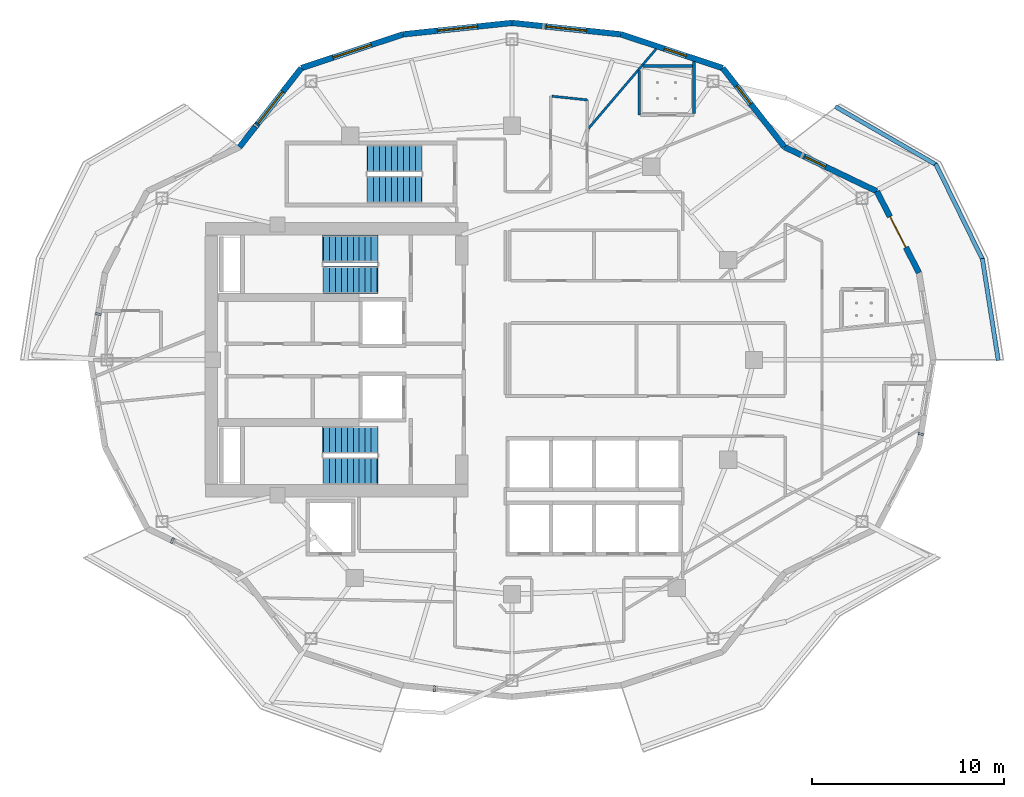
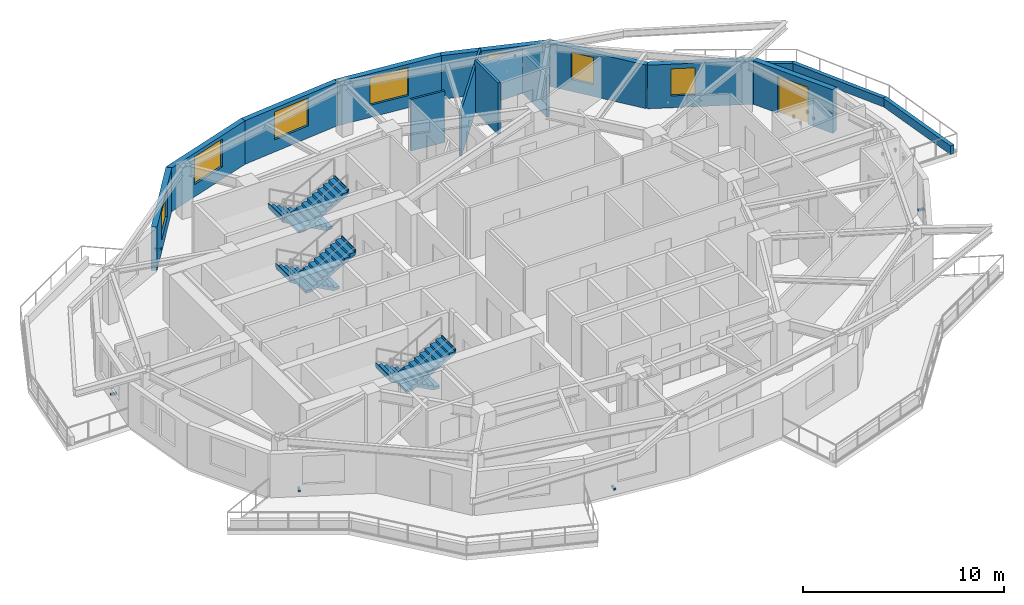
# One storey, part 7 of 10: 16 walls, 7 windows, 6 stair flights, 5 discrete accessories, 1 door, 8 openings, 3 elements without a shape of their own.
"""IFC4 building model written with IfcOpenShell, lengths in metres."""

import ifcopenshell
import ifcopenshell.guid

model = None  # the IFC model being written
_history = None  # IfcOwnerHistory: only IFC2X3 demands one
_inside = {}  # id of a spatial element -> (the spatial element, [elements in it])
_under = {}  # id of a project, library or spatial element -> (it, [spatial elements below it])
_declared = {}  # id of a project -> (the project, [libraries it declares])
_typed = {}  # id of a type object -> (the type object, [elements of that type])
_made_of = {}  # id of a material, layer set ... -> (it, [elements and type objects made of it])


def new_model(schema):
    """Start an empty IFC model of exactly this schema.

    Asked for "IFC4X3", IfcOpenShell would pick the latest addendum, in which some entities
    have other attributes; the version numbers below select the first issue.
    IFC2X3 requires an IfcOwnerHistory on every rooted entity: one is made here for all.
    """
    global model, _history
    if schema == "IFC4X3":
        model = ifcopenshell.file(schema_version=(4, 3, 0, 0))
    else:
        model = ifcopenshell.file(schema=schema)
    _inside.clear()
    _under.clear()
    _declared.clear()
    _typed.clear()
    _made_of.clear()
    _history = None
    if model.schema == "IFC2X3":
        org = make("IfcOrganization", Name="unknown")
        user = make(
            "IfcPersonAndOrganization",
            ThePerson=make("IfcPerson", FamilyName="unknown"),
            TheOrganization=org,
        )
        app = make(
            "IfcApplication",
            ApplicationDeveloper=org,
            Version="unknown",
            ApplicationFullName="unknown",
            ApplicationIdentifier="unknown",
        )
        _history = make(
            "IfcOwnerHistory",
            OwningUser=user,
            OwningApplication=app,
            ChangeAction="ADDED",
            CreationDate=0,
        )
    return model


def make(cls, **values):
    """One entity of the class cls with the attributes given. An attribute that is None is left unset."""
    return model.create_entity(
        cls, **{name: value for name, value in values.items() if value is not None}
    )


def rooted(cls, **values):
    """An entity with a GlobalId (a new one), such as an element, a storey or a relation."""
    return make(cls, GlobalId=ifcopenshell.guid.new(), OwnerHistory=_history, **values)


def si_unit(unit_type, name, prefix=None):
    """IfcSIUnit, for example si_unit("LENGTHUNIT", "METRE", prefix="MILLI")."""
    return make("IfcSIUnit", UnitType=unit_type, Prefix=prefix, Name=name)


def assignment(units):
    """IfcUnitAssignment: the units of a project."""
    return None if units is None else make("IfcUnitAssignment", Units=units)


def point(xyz):
    """IfcCartesianPoint."""
    return None if xyz is None else make("IfcCartesianPoint", Coordinates=xyz)


def direction(xyz):
    """IfcDirection."""
    return None if xyz is None else make("IfcDirection", DirectionRatios=xyz)


def frame(location, z_axis=None, x_axis=None):
    """IfcAxis2Placement3D, a coordinate frame: its origin and axes. An axis left out is left unset."""
    return make(
        "IfcAxis2Placement3D",
        Location=point(location),
        Axis=direction(z_axis),
        RefDirection=direction(x_axis),
    )


def frame_2d(location, x_axis=None):
    """IfcAxis2Placement2D, a coordinate frame in the plane: its origin and x axis."""
    return make(
        "IfcAxis2Placement2D", Location=point(location), RefDirection=direction(x_axis)
    )


def origin():
    """The frame at (0, 0, 0) with its axes left unset."""
    return frame((0.0, 0.0, 0.0))


def origin_2d():
    """The frame at (0, 0) in the plane with its x axis left unset."""
    return frame_2d((0.0, 0.0))


def place(relative_to, where):
    """IfcLocalPlacement: puts the frame where relative to a parent placement (None: the world)."""
    return make(
        "IfcLocalPlacement", PlacementRelTo=relative_to, RelativePlacement=where
    )


def context(
    kind, dimensions, precision=None, world=None, true_north=None, identifier=None
):
    """IfcGeometricRepresentationContext, for example the 3D "Model" context."""
    return make(
        "IfcGeometricRepresentationContext",
        ContextIdentifier=identifier,
        ContextType=kind,
        CoordinateSpaceDimension=dimensions,
        Precision=precision,
        WorldCoordinateSystem=world,
        TrueNorth=true_north,
    )


def subcontext(parent, identifier, kind, view, scale=None):
    """IfcGeometricRepresentationSubContext, for example "Body" below "Model"."""
    return make(
        "IfcGeometricRepresentationSubContext",
        ContextIdentifier=identifier,
        ContextType=kind,
        ParentContext=parent,
        TargetScale=scale,
        TargetView=view,
    )


def project(units=None, contexts=None):
    """IfcProject with its units and contexts."""
    return rooted(
        "IfcProject",
        Name="project",
        RepresentationContexts=contexts,
        UnitsInContext=assignment(units),
    )


def spatial(cls, under=None, at=None, **own):
    """A site, building, storey or space (cls), placed at a placement, below another one or the project."""
    s = rooted(cls, ObjectPlacement=at, **own)
    if under is not None:
        _under.setdefault(under.id(), (under, []))[1].append(s)
    return s


def polyline(points):
    """IfcPolyline through the points."""
    return make("IfcPolyline", Points=[point(p) for p in points])


def profile(cls, at=None, kind="AREA", **sizes):
    """A parametric profile (cls). Its sizes go by their IFC names, for example OverallWidth=200.0."""
    return make(cls, ProfileType=kind, Position=at, **sizes)


def rectangle(**sizes):
    """IfcRectangleProfileDef."""
    return profile("IfcRectangleProfileDef", **sizes)


def outline(outer, holes=None, kind="AREA"):
    """IfcArbitraryClosedProfileDef: a profile drawn as a closed curve; with holes, ...WithVoids."""
    if holes is None:
        return make("IfcArbitraryClosedProfileDef", ProfileType=kind, OuterCurve=outer)
    return make(
        "IfcArbitraryProfileDefWithVoids",
        ProfileType=kind,
        OuterCurve=outer,
        InnerCurves=holes,
    )


def extrude(swept, where, along, depth):
    """IfcExtrudedAreaSolid: the profile swept, set in the frame where, extruded along a direction by depth."""
    return make(
        "IfcExtrudedAreaSolid",
        SweptArea=swept,
        Position=where,
        ExtrudedDirection=direction(along),
        Depth=depth,
    )


def shape(context_of_items, identifier, shape_type, items):
    """IfcShapeRepresentation: the items that make up one representation, for example the "Body"."""
    return make(
        "IfcShapeRepresentation",
        ContextOfItems=context_of_items,
        RepresentationIdentifier=identifier,
        RepresentationType=shape_type,
        Items=items,
    )


def material(Name=None, Category=None):
    """IfcMaterial."""
    return make("IfcMaterial", Name=Name, Category=Category)


def layer(
    of_material, thickness, ventilated=None, Name=None, Category=None, Priority=None
):
    """IfcMaterialLayer: one layer of a wall or slab, of a material (None: an air gap)."""
    return make(
        "IfcMaterialLayer",
        Material=of_material,
        LayerThickness=thickness,
        IsVentilated=ventilated,
        Name=Name,
        Category=Category,
        Priority=Priority,
    )


def layer_set(layers, Name=None):
    """IfcMaterialLayerSet."""
    return make("IfcMaterialLayerSet", MaterialLayers=layers, LayerSetName=Name)


def made_of(thing, what):
    """Note that an element or type object is made of a material, layer set ...; save() writes the relation."""
    if what is not None:
        _made_of.setdefault(what.id(), (what, []))[1].append(thing)
    return thing


def type_object(cls, material=None, **own):
    """A type object (cls), such as IfcWallType, which elements share."""
    return made_of(rooted(cls, **own), material)


def element(
    cls,
    number,
    at=None,
    inside=None,
    cuts=None,
    type_object=None,
    material=None,
    context=None,
    identifier="Body",
    shape_type=None,
    held_by="IfcProductDefinitionShape",
    body=None,
    shapes=None,
    **own,
):
    """One element of the class cls, such as IfcWall. Its Tag is "e" and its number.

    at: its placement. inside: the storey or other place that contains it. cuts: it is an
    opening in that element (IfcRelVoidsElement). A single representation is given by context,
    identifier, shape_type and body (its items); several are given by shapes. held_by: the class
    of the entity that holds the representations. save() writes the other relations.
    """
    e = rooted(cls, Tag="e%d" % number, ObjectPlacement=at, **own)
    if body is not None:
        shapes = [shape(context, identifier, shape_type, body)]
    if shapes is not None:
        e.Representation = make(held_by, Representations=shapes)
    if inside is not None:
        _inside.setdefault(inside.id(), (inside, []))[1].append(e)
    if cuts is not None:
        rooted(
            "IfcRelVoidsElement", RelatingBuildingElement=cuts, RelatedOpeningElement=e
        )
    if type_object is not None:
        _typed.setdefault(type_object.id(), (type_object, []))[1].append(e)
    return made_of(e, material)


def fill(opening, filler):
    """IfcRelFillsElement: the door or window that sits in an opening."""
    return rooted(
        "IfcRelFillsElement",
        RelatingOpeningElement=opening,
        RelatedBuildingElement=filler,
    )


def aggregate(whole, parts):
    """IfcRelAggregates: a whole, such as a stair, and the parts it consists of."""
    return rooted("IfcRelAggregates", RelatingObject=whole, RelatedObjects=parts)


def save(model, path):
    """Write the relations noted so far, then the file.

    IfcRelAggregates (storeys below a building ...), IfcRelContainedInSpatialStructure (elements
    in a storey), IfcRelDefinesByType, IfcRelAssociatesMaterial and IfcRelDeclares: one each for
    every whole, place, type object, material and project.
    """
    for whole, parts in _under.values():
        aggregate(whole, parts)
    for where, things in _inside.values():
        rooted(
            "IfcRelContainedInSpatialStructure",
            RelatedElements=things,
            RelatingStructure=where,
        )
    for kind, things in _typed.values():
        rooted("IfcRelDefinesByType", RelatedObjects=things, RelatingType=kind)
    for what, things in _made_of.values():
        rooted("IfcRelAssociatesMaterial", RelatedObjects=things, RelatingMaterial=what)
    for by, libraries in _declared.values():
        rooted("IfcRelDeclares", RelatingContext=by, RelatedDefinitions=libraries)
    model.write(path)


model = new_model("IFC4")

# Units and contexts
model_context = context("Model", 3, precision=1e-05, world=origin(), true_north=direction((0.0, 1.0)))
body_context = subcontext(model_context, "Body", "Model", "MODEL_VIEW")
ifc_project = project(units=[si_unit("LENGTHUNIT", "METRE"), si_unit("AREAUNIT", "SQUARE_METRE"), si_unit("VOLUMEUNIT", "CUBIC_METRE"), si_unit("PLANEANGLEUNIT", "RADIAN"), si_unit("MASSUNIT", "GRAM", prefix="KILO")], contexts=[model_context])

# Site, building, storey
site_placement = place(None, origin())
site = spatial("IfcSite", under=ifc_project, at=site_placement, CompositionType="ELEMENT")
building_placement = place(site_placement, origin())
building = spatial("IfcBuilding", under=site, at=building_placement, Name="Kolvaren Gate Tower and Convention Centre", CompositionType="ELEMENT")
storey_placement = place(building_placement, frame((0.0, 0.0, 146.10009765625)))
storey = spatial("IfcBuildingStorey", under=building, at=storey_placement, Name="L37", CompositionType="ELEMENT", Elevation=146.10009765625)

# Walls
ifc_material_1 = material(Name="Fire-Rated Acoustic Gypsum Stud Partition", Category="gypsum")
ifc_layer_1 = layer(ifc_material_1, 0.1201171875)
ifc_layer_set_1 = layer_set([ifc_layer_1], Name="Fire-Rated Acoustic Gypsum Stud Partition")
wall_type_1 = type_object("IfcWallType", Name="ARCH-WL-PART-120", PredefinedType="PARTITIONING", material=ifc_layer_set_1)
wall_1_placement = place(storey_placement, frame((32.2119140625, 40.73046875, 0.0), z_axis=(0.0, 0.0, 1.0), x_axis=(0.994512688404, -0.1046160246, 0.0)))
element("IfcWall", 1, at=wall_1_placement, inside=storey, type_object=wall_type_1, Name="Interior Partition WL-L37-INT-038", PredefinedType="PARTITIONING", context=body_context, shape_type="SweptSolid", body=[
    extrude(rectangle(XDim=1.848388671875, YDim=0.1201171875, at=frame_2d((0.92431640625, 0.0))), origin(), (0.0, 0.0, 1.0), 3.1298828125),
])
wall_2_placement = place(storey_placement, frame((34.112060546875, 39.054931640625, 0.0), z_axis=(0.0, 0.0, 1.0), x_axis=(0.64805977237, 0.761589476973, 0.0)))
element("IfcWall", 2, at=wall_2_placement, inside=storey, type_object=wall_type_1, Name="Interior Partition WL-L37-INT-069", PredefinedType="PARTITIONING", context=body_context, shape_type="SweptSolid", body=[
    extrude(rectangle(XDim=5.425537109375, YDim=0.1201171875, at=frame_2d((2.712890625, 0.0))), origin(), (0.0, 0.0, 1.0), 2.81201171875),
])
ifc_material_2 = material(Name="Piedmont Cream Honed Limestone Cladding", Category="masonry")
ifc_layer_2 = layer(ifc_material_2, 0.219970703125)
ifc_layer_set_2 = layer_set([ifc_layer_2], Name="Piedmont Cream Honed Limestone Cladding")
wall_type_2 = type_object("IfcWallType", Name="ARCH-WL-PLANTER-220", PredefinedType="PARAPET", material=ifc_layer_set_2)
wall_3_placement = place(storey_placement, frame((54.615234375, 32.280029296875, 0.0), z_axis=(0.0, 0.0, 1.0), x_axis=(0.154245214003, -0.988032597619, 0.0)))
element("IfcWall", 3, at=wall_3_placement, inside=storey, type_object=wall_type_2, Name="Vertical-Forest Balcony Stone Planter Kerb PK-L37-1.1", PredefinedType="PARAPET", context=body_context, shape_type="SweptSolid", body=[
    extrude(rectangle(XDim=5.37353515625, YDim=0.219970703125, at=frame_2d((2.686767578125, 0.0))), origin(), (0.0, 0.0, 1.0), 0.52001953125),
])
wall_4_placement = place(storey_placement, frame((52.180419921875, 37.221435546875, 0.0), z_axis=(0.0, 0.0, 1.0), x_axis=(0.439637174641, -0.898175458735, 0.0)))
element("IfcWall", 4, at=wall_4_placement, inside=storey, type_object=wall_type_2, Name="Vertical-Forest Balcony Stone Planter Kerb PK-L37-1.2", PredefinedType="PARAPET", context=body_context, shape_type="SweptSolid", body=[
    extrude(rectangle(XDim=5.567138671875, YDim=0.219970703125, at=frame_2d((2.78369140625, 0.0))), origin(), (0.0, 0.0, 1.0), 0.52001953125),
])
wall_5_placement = place(storey_placement, frame((46.95751953125, 40.1953125, 0.0), z_axis=(0.0, 0.0, 1.0), x_axis=(0.866058128659, -0.499943314571, 0.0)))
element("IfcWall", 5, at=wall_5_placement, inside=storey, type_object=wall_type_2, Name="Vertical-Forest Balcony Stone Planter Kerb PK-L37-1.3", PredefinedType="PARAPET", context=body_context, shape_type="SweptSolid", body=[
    extrude(rectangle(XDim=6.060302734375, YDim=0.219970703125, at=frame_2d((3.0302734375, 0.0))), origin(), (0.0, 0.0, 1.0), 0.52001953125),
])

# Wall, opening, door
ifc_layer_3 = layer(ifc_material_2, 0.300048828125)
ifc_layer_set_3 = layer_set([ifc_layer_3], Name="Piedmont Cream Honed Limestone Cladding")
wall_type_3 = type_object("IfcWallType", Name="ARCH-WL-STONE-300", PredefinedType="SOLIDWALL", material=ifc_layer_set_3)
wall_6_placement = place(storey_placement, frame((49.123291015625, 35.77490234375, 0.0), z_axis=(0.0, 0.0, 1.0), x_axis=(0.459810251451, -0.888017191647, 0.0)))
wall_6 = element("IfcWall", 6, at=wall_6_placement, inside=storey, type_object=wall_type_3, Name="Tower L37 Honed Stone Spandrel Wall EW-01", PredefinedType="SOLIDWALL", context=body_context, shape_type="SweptSolid", body=[
    extrude(rectangle(XDim=4.766357421875, YDim=0.300048828125, at=frame_2d((2.38330078125, 0.0))), origin(), (0.0, 0.0, 1.0), 2.65283203125),
])
opening_1_placement = place(wall_6_placement, frame((1.48291015625, 0.0, 0.0)))
opening_1 = element("IfcOpeningElement", 7, at=opening_1_placement, cuts=wall_6, Name="Opening DB-01", PredefinedType="OPENING", context=body_context, shape_type="SweptSolid", body=[
    extrude(rectangle(XDim=1.800048828125, YDim=2.25, at=frame_2d((0.89990234375, 1.125))), frame((0.0, 0.159912109375, 0.0), z_axis=(0.0, -1.0, 0.0), x_axis=(1.0, 0.0, 0.0)), (0.0, 0.0, 1.0), 0.320068359375),
])
ifc_material_3 = material(Name="Anodized Architectural Aluminium Alloy 6063-T6", Category="aluminium")
door_type = type_object("IfcDoorType", Name="ARCH-DR-BALC-1800", OperationType="SLIDING_TO_LEFT", PredefinedType="DOOR", material=ifc_material_3)
door_placement = place(opening_1_placement, origin())
door = element("IfcDoor", 8, at=door_placement, inside=storey, type_object=door_type, Name="Planted Sky Terrace Access Door DB-L37-01", OperationType="SLIDING_TO_LEFT", OverallHeight=2.25, OverallWidth=1.800048828125, PredefinedType="DOOR", context=body_context, shape_type="SweptSolid", body=[
    extrude(rectangle(XDim=1.800048828125, YDim=2.25, at=frame_2d((0.89990234375, 1.125))), frame((0.0, 0.02490234375, 0.0), z_axis=(0.0, -1.0, 0.0), x_axis=(1.0, 0.0, 0.0)), (0.0, 0.0, 1.0), 0.050048828125),
])
fill(opening_1, door)

# Wall, opening, window
wall_7_placement = place(storey_placement, frame((44.3134765625, 38.0859375, 0.0), z_axis=(0.0, 0.0, 1.0), x_axis=(0.901353070301, -0.433085029363, 0.0)))
wall_7 = element("IfcWall", 9, at=wall_7_placement, inside=storey, type_object=wall_type_3, Name="Tower L37 Honed Stone Spandrel Wall EW-02", PredefinedType="SOLIDWALL", context=body_context, shape_type="SweptSolid", body=[
    extrude(rectangle(XDim=5.336181640625, YDim=0.300048828125, at=frame_2d((2.66796875, 0.0))), origin(), (0.0, 0.0, 1.0), 2.65283203125),
])
opening_2_placement = place(wall_7_placement, frame((1.179931640625, 0.0, 0.719970703125)))
opening_2 = element("IfcOpeningElement", 10, at=opening_2_placement, cuts=wall_7, Name="Opening W-04", PredefinedType="OPENING", context=body_context, shape_type="SweptSolid", body=[
    extrude(rectangle(XDim=1.199951171875, YDim=1.64990234375, at=frame_2d((0.60009765625, 0.824951171875))), frame((0.0, 0.159912109375, 0.0), z_axis=(0.0, -1.0, 0.0), x_axis=(1.0, 0.0, 0.0)), (0.0, 0.0, 1.0), 0.320068359375),
])
ifc_material_4 = material(Name="Low-E Triple Insulated Glazing Unit 44 mm", Category="glass")
window_type_1 = type_object("IfcWindowType", Name="ARCH-WN-NARROW-1200", PartitioningType="SINGLE_PANEL", PredefinedType="WINDOW", material=ifc_material_4)
window_1_placement = place(opening_2_placement, origin())
window_1 = element("IfcWindow", 11, at=window_1_placement, inside=storey, type_object=window_type_1, Name="Tower L37 Punched Stone Facade Window W-02", OverallHeight=1.64990234375, OverallWidth=1.199951171875, PartitioningType="SINGLE_PANEL", PredefinedType="WINDOW", context=body_context, shape_type="SweptSolid", body=[
    extrude(rectangle(XDim=1.199951171875, YDim=1.64990234375, at=frame_2d((0.60009765625, 0.824951171875))), frame((0.0, 0.030029296875, 0.0), z_axis=(0.0, -1.0, 0.0), x_axis=(1.0, 0.0, 0.0)), (0.0, 0.0, 1.0), 0.06005859375),
])
fill(opening_2, window_1)

wall_8_placement = place(storey_placement, frame((41.09375, 42.19873046875, 0.0), z_axis=(0.0, 0.0, 1.0), x_axis=(0.616429245738, -0.787410302828, 0.0)))
wall_8 = element("IfcWall", 12, at=wall_8_placement, inside=storey, type_object=wall_type_3, Name="Tower L37 Honed Stone Spandrel Wall EW-03", PredefinedType="SOLIDWALL", context=body_context, shape_type="SweptSolid", body=[
    extrude(rectangle(XDim=5.22314453125, YDim=0.300048828125, at=frame_2d((2.611572265625, 0.0))), origin(), (0.0, 0.0, 1.0), 2.65283203125),
])
opening_3_placement = place(wall_8_placement, frame((1.179931640625, 0.0, 0.719970703125)))
opening_3 = element("IfcOpeningElement", 13, at=opening_3_placement, cuts=wall_8, Name="Opening W-04", PredefinedType="OPENING", context=body_context, shape_type="SweptSolid", body=[
    extrude(rectangle(XDim=1.199951171875, YDim=1.64990234375, at=frame_2d((0.60009765625, 0.824951171875))), frame((0.0, 0.159912109375, 0.0), z_axis=(0.0, -1.0, 0.0), x_axis=(1.0, 0.0, 0.0)), (0.0, 0.0, 1.0), 0.320068359375),
])
window_2_placement = place(opening_3_placement, origin())
window_2 = element("IfcWindow", 14, at=window_2_placement, inside=storey, type_object=window_type_1, Name="Tower L37 Punched Stone Facade Window W-03", OverallHeight=1.64990234375, OverallWidth=1.199951171875, PartitioningType="SINGLE_PANEL", PredefinedType="WINDOW", context=body_context, shape_type="SweptSolid", body=[
    extrude(rectangle(XDim=1.199951171875, YDim=1.64990234375, at=frame_2d((0.60009765625, 0.824951171875))), frame((0.0, 0.030029296875, 0.0), z_axis=(0.0, -1.0, 0.0), x_axis=(1.0, 0.0, 0.0)), (0.0, 0.0, 1.0), 0.06005859375),
])
fill(opening_3, window_2)

wall_9_placement = place(storey_placement, frame((35.802734375, 43.951904296875, 0.0), z_axis=(0.0, 0.0, 1.0), x_axis=(0.949246811547, -0.314532177636, 0.0)))
wall_9 = element("IfcWall", 15, at=wall_9_placement, inside=storey, type_object=wall_type_3, Name="Tower L37 Honed Stone Spandrel Wall EW-04", PredefinedType="SOLIDWALL", context=body_context, shape_type="SweptSolid", body=[
    extrude(rectangle(XDim=5.573974609375, YDim=0.300048828125, at=frame_2d((2.787109375, 0.0))), origin(), (0.0, 0.0, 1.0), 2.65283203125),
])
opening_4_placement = place(wall_9_placement, frame((2.3798828125, 0.0, 0.719970703125)))
opening_4 = element("IfcOpeningElement", 16, at=opening_4_placement, cuts=wall_9, Name="Opening W-04", PredefinedType="OPENING", context=body_context, shape_type="SweptSolid", body=[
    extrude(rectangle(XDim=1.199951171875, YDim=1.64990234375, at=frame_2d((0.60009765625, 0.824951171875))), frame((0.0, 0.159912109375, 0.0), z_axis=(0.0, -1.0, 0.0), x_axis=(1.0, 0.0, 0.0)), (0.0, 0.0, 1.0), 0.320068359375),
])
window_3_placement = place(opening_4_placement, origin())
window_3 = element("IfcWindow", 17, at=window_3_placement, inside=storey, type_object=window_type_1, Name="Tower L37 Punched Stone Facade Window W-04", OverallHeight=1.64990234375, OverallWidth=1.199951171875, PartitioningType="SINGLE_PANEL", PredefinedType="WINDOW", context=body_context, shape_type="SweptSolid", body=[
    extrude(rectangle(XDim=1.199951171875, YDim=1.64990234375, at=frame_2d((0.60009765625, 0.824951171875))), frame((0.0, 0.030029296875, 0.0), z_axis=(0.0, -1.0, 0.0), x_axis=(1.0, 0.0, 0.0)), (0.0, 0.0, 1.0), 0.06005859375),
])
fill(opening_4, window_3)

wall_10_placement = place(storey_placement, frame((30.125, 44.550048828125, 0.0), z_axis=(0.0, 0.0, 1.0), x_axis=(0.994496545245, -0.104769372887, 0.0)))
wall_10 = element("IfcWall", 18, at=wall_10_placement, inside=storey, type_object=wall_type_3, Name="Tower L37 Honed Stone Spandrel Wall EW-05", PredefinedType="SOLIDWALL", context=body_context, shape_type="SweptSolid", body=[
    extrude(rectangle(XDim=5.709228515625, YDim=0.300048828125, at=frame_2d((2.8544921875, 0.0))), origin(), (0.0, 0.0, 1.0), 2.65283203125),
])
opening_5_placement = place(wall_10_placement, frame((1.804931640625, 0.0, 0.739990234375)))
opening_5 = element("IfcOpeningElement", 19, at=opening_5_placement, cuts=wall_10, Name="Opening W-02", PredefinedType="OPENING", context=body_context, shape_type="SweptSolid", body=[
    extrude(rectangle(XDim=2.10009765625, YDim=1.699951171875, at=frame_2d((1.050048828125, 0.85009765625))), frame((0.0, 0.159912109375, 0.0), z_axis=(0.0, -1.0, 0.0), x_axis=(1.0, 0.0, 0.0)), (0.0, 0.0, 1.0), 0.320068359375),
])
window_type_2 = type_object("IfcWindowType", Name="ARCH-WN-HTL-2100", PartitioningType="SINGLE_PANEL", PredefinedType="WINDOW", material=ifc_material_4)
window_4_placement = place(opening_5_placement, origin())
window_4 = element("IfcWindow", 20, at=window_4_placement, inside=storey, type_object=window_type_2, Name="Tower L37 Punched Stone Facade Window W-05", OverallHeight=1.699951171875, OverallWidth=2.10009765625, PartitioningType="SINGLE_PANEL", PredefinedType="WINDOW", context=body_context, shape_type="SweptSolid", body=[
    extrude(rectangle(XDim=2.10009765625, YDim=1.699951171875, at=frame_2d((1.050048828125, 0.85009765625))), frame((0.0, 0.030029296875, 0.0), z_axis=(0.0, -1.0, 0.0), x_axis=(1.0, 0.0, 0.0)), (0.0, 0.0, 1.0), 0.06005859375),
])
fill(opening_5, window_4)

wall_11_placement = place(storey_placement, frame((24.447265625, 43.951904296875, 0.0), z_axis=(0.0, 0.0, 1.0), x_axis=(0.994496545245, 0.104769372887, 0.0)))
wall_11 = element("IfcWall", 21, at=wall_11_placement, inside=storey, type_object=wall_type_3, Name="Tower L37 Honed Stone Spandrel Wall EW-06", PredefinedType="SOLIDWALL", context=body_context, shape_type="SweptSolid", body=[
    extrude(rectangle(XDim=5.709228515625, YDim=0.300048828125, at=frame_2d((2.8544921875, 0.0))), origin(), (0.0, 0.0, 1.0), 2.65283203125),
])
opening_6_placement = place(wall_11_placement, frame((1.804931640625, 0.0, 0.739990234375)))
opening_6 = element("IfcOpeningElement", 22, at=opening_6_placement, cuts=wall_11, Name="Opening W-02", PredefinedType="OPENING", context=body_context, shape_type="SweptSolid", body=[
    extrude(rectangle(XDim=2.10009765625, YDim=1.699951171875, at=frame_2d((1.050048828125, 0.85009765625))), frame((0.0, 0.159912109375, 0.0), z_axis=(0.0, -1.0, 0.0), x_axis=(1.0, 0.0, 0.0)), (0.0, 0.0, 1.0), 0.320068359375),
])
window_5_placement = place(opening_6_placement, origin())
window_5 = element("IfcWindow", 23, at=window_5_placement, inside=storey, type_object=window_type_2, Name="Tower L37 Punched Stone Facade Window W-06", OverallHeight=1.699951171875, OverallWidth=2.10009765625, PartitioningType="SINGLE_PANEL", PredefinedType="WINDOW", context=body_context, shape_type="SweptSolid", body=[
    extrude(rectangle(XDim=2.10009765625, YDim=1.699951171875, at=frame_2d((1.050048828125, 0.85009765625))), frame((0.0, 0.030029296875, 0.0), z_axis=(0.0, -1.0, 0.0), x_axis=(1.0, 0.0, 0.0)), (0.0, 0.0, 1.0), 0.06005859375),
])
fill(opening_6, window_5)

wall_12_placement = place(storey_placement, frame((19.15625, 42.19873046875, 0.0), z_axis=(0.0, 0.0, 1.0), x_axis=(0.949246811547, 0.314532177636, 0.0)))
wall_12 = element("IfcWall", 24, at=wall_12_placement, inside=storey, type_object=wall_type_3, Name="Tower L37 Honed Stone Spandrel Wall EW-07", PredefinedType="SOLIDWALL", context=body_context, shape_type="SweptSolid", body=[
    extrude(rectangle(XDim=5.573974609375, YDim=0.300048828125, at=frame_2d((2.787109375, 0.0))), origin(), (0.0, 0.0, 1.0), 2.65283203125),
])
opening_7_placement = place(wall_12_placement, frame((1.737060546875, 0.0, 0.739990234375)))
opening_7 = element("IfcOpeningElement", 25, at=opening_7_placement, cuts=wall_12, Name="Opening W-02", PredefinedType="OPENING", context=body_context, shape_type="SweptSolid", body=[
    extrude(rectangle(XDim=2.10009765625, YDim=1.699951171875, at=frame_2d((1.050048828125, 0.85009765625))), frame((0.0, 0.159912109375, 0.0), z_axis=(0.0, -1.0, 0.0), x_axis=(1.0, 0.0, 0.0)), (0.0, 0.0, 1.0), 0.320068359375),
])
window_6_placement = place(opening_7_placement, origin())
window_6 = element("IfcWindow", 26, at=window_6_placement, inside=storey, type_object=window_type_2, Name="Tower L37 Punched Stone Facade Window W-07", OverallHeight=1.699951171875, OverallWidth=2.10009765625, PartitioningType="SINGLE_PANEL", PredefinedType="WINDOW", context=body_context, shape_type="SweptSolid", body=[
    extrude(rectangle(XDim=2.10009765625, YDim=1.699951171875, at=frame_2d((1.050048828125, 0.85009765625))), frame((0.0, 0.030029296875, 0.0), z_axis=(0.0, -1.0, 0.0), x_axis=(1.0, 0.0, 0.0)), (0.0, 0.0, 1.0), 0.06005859375),
])
fill(opening_7, window_6)

wall_13_placement = place(storey_placement, frame((15.9365234375, 38.0859375, 0.0), z_axis=(0.0, 0.0, 1.0), x_axis=(0.616429245738, 0.787410302828, 0.0)))
wall_13 = element("IfcWall", 27, at=wall_13_placement, inside=storey, type_object=wall_type_3, Name="Tower L37 Honed Stone Spandrel Wall EW-08", PredefinedType="SOLIDWALL", context=body_context, shape_type="SweptSolid", body=[
    extrude(rectangle(XDim=5.22314453125, YDim=0.300048828125, at=frame_2d((2.611572265625, 0.0))), origin(), (0.0, 0.0, 1.0), 2.65283203125),
])
opening_8_placement = place(wall_13_placement, frame((1.56201171875, 0.0, 0.739990234375)))
opening_8 = element("IfcOpeningElement", 28, at=opening_8_placement, cuts=wall_13, Name="Opening W-02", PredefinedType="OPENING", context=body_context, shape_type="SweptSolid", body=[
    extrude(rectangle(XDim=2.10009765625, YDim=1.699951171875, at=frame_2d((1.050048828125, 0.85009765625))), frame((0.0, 0.159912109375, 0.0), z_axis=(0.0, -1.0, 0.0), x_axis=(1.0, 0.0, 0.0)), (0.0, 0.0, 1.0), 0.320068359375),
])
window_7_placement = place(opening_8_placement, origin())
window_7 = element("IfcWindow", 29, at=window_7_placement, inside=storey, type_object=window_type_2, Name="Tower L37 Punched Stone Facade Window W-08", OverallHeight=1.699951171875, OverallWidth=2.10009765625, PartitioningType="SINGLE_PANEL", PredefinedType="WINDOW", context=body_context, shape_type="SweptSolid", body=[
    extrude(rectangle(XDim=2.10009765625, YDim=1.699951171875, at=frame_2d((1.050048828125, 0.85009765625))), frame((0.0, 0.030029296875, 0.0), z_axis=(0.0, -1.0, 0.0), x_axis=(1.0, 0.0, 0.0)), (0.0, 0.0, 1.0), 0.06005859375),
])
fill(opening_8, window_7)

# Walls
ifc_material_5 = material(Name="Moisture-Resistant Cement-Board Acoustic Partition", Category="gypsum")
ifc_layer_4 = layer(ifc_material_5, 0.14990234375)
ifc_layer_set_4 = layer_set([ifc_layer_4], Name="Moisture-Resistant Cement-Board Acoustic Partition")
wall_type_4 = type_object("IfcWallType", Name="ARCH-WL-WET-150", PredefinedType="PARTITIONING", material=ifc_layer_set_4)
wall_14_placement = place(storey_placement, frame((36.75, 39.75, 0.0), z_axis=(0.0, 0.0, 1.0), x_axis=(0.0, 1.0, 0.0)))
element("IfcWall", 30, at=wall_14_placement, inside=storey, type_object=wall_type_4, Name="Interior Partition WL-L37-INT-070", PredefinedType="PARTITIONING", context=body_context, shape_type="SweptSolid", body=[
    extrude(rectangle(XDim=2.309326171875, YDim=0.14990234375, at=frame_2d((1.15478515625, 0.0))), origin(), (0.0, 0.0, 1.0), 3.1298828125),
])
wall_15_placement = place(storey_placement, frame((39.60009765625, 39.826904296875, 0.0), z_axis=(0.0, 0.0, 1.0), x_axis=(0.0, 1.0, 0.0)))
element("IfcWall", 31, at=wall_15_placement, inside=storey, type_object=wall_type_4, Name="Interior Partition WL-L37-INT-072", PredefinedType="PARTITIONING", context=body_context, shape_type="SweptSolid", body=[
    extrude(rectangle(XDim=2.706787109375, YDim=0.14990234375, at=frame_2d((1.353515625, 0.0))), origin(), (0.0, 0.0, 1.0), 2.5048828125),
])
wall_16_placement = place(storey_placement, frame((36.95458984375, 42.300048828125, 0.0), z_axis=(0.0, 0.0, 1.0), x_axis=(1.0, 0.0, 0.0)))
element("IfcWall", 32, at=wall_16_placement, inside=storey, type_object=wall_type_4, Name="Interior Partition WL-L37-INT-073", PredefinedType="PARTITIONING", context=body_context, shape_type="SweptSolid", body=[
    extrude(rectangle(XDim=2.568359375, YDim=0.14990234375, at=frame_2d((1.2841796875, 0.0))), origin(), (0.0, 0.0, 1.0), 2.65283203125),
])

# Stair, stair flights
ifc_material_6 = material(Name="Concrete C50/60", Category="concrete")
stair_type = type_object("IfcStairType", Name="STR-STAIR-CORE", PredefinedType="HALF_TURN_STAIR", material=ifc_material_6)
stair_1_placement = place(storey_placement, origin())
stair_1 = element("IfcStair", 33, at=stair_1_placement, inside=storey, type_object=stair_type, Name="L37 Tower North Exit Stair ST-T1", PredefinedType="HALF_TURN_STAIR")
stair_flight_type = type_object("IfcStairFlightType", Name="STR-SFL-1420", PredefinedType="STRAIGHT", material=ifc_material_6)
stair_flight_1_placement = place(storey_placement, frame((23.10009765625, 32.7900390625, 0.0), z_axis=(0.0, 0.0, 1.0), x_axis=(-1.0, 0.0, 0.0)))
stair_flight_1 = element("IfcStairFlight", 34, at=stair_flight_1_placement, type_object=stair_flight_type, Name="ST-T1 flight 1", NumberOfRisers=10, NumberOfTreads=9, PredefinedType="STRAIGHT", RiserHeight=0.17, TreadLength=0.31, context=body_context, shape_type="SweptSolid", body=[
    extrude(outline(polyline([(-0.034912109375, 0.0), (-0.034912109375, 0.169921875), (0.31005859375, 0.169921875), (0.31005859375, 0.340087890625), (0.6201171875, 0.340087890625), (0.6201171875, 0.510009765625), (0.929931640625, 0.510009765625), (0.929931640625, 0.679931640625), (1.239990234375, 0.679931640625), (1.239990234375, 0.85009765625), (1.550048828125, 0.85009765625), (1.550048828125, 1.02001953125), (1.860107421875, 1.02001953125), (1.860107421875, 1.18994140625), (2.169921875, 1.18994140625), (2.169921875, 1.360107421875), (2.47998046875, 1.360107421875), (2.47998046875, 1.530029296875), (2.7900390625, 1.530029296875), (2.7900390625, 1.699951171875), (2.8349609375, 1.699951171875), (2.8349609375, 1.5400390625), (2.7900390625, 1.359130859375), (0.311767578125, 0.0), (-0.034912109375, 0.0)])), frame((0.0, 0.7099609375, 0.0), z_axis=(0.0, -1.0, 0.0), x_axis=(1.0, 0.0, 0.0)), (0.0, 0.0, 1.0), 1.419921875),
])
stair_flight_2_placement = place(storey_placement, frame((20.31005859375, 31.169921875, 1.699951171875), z_axis=(0.0, 0.0, 1.0), x_axis=(1.0, 0.0, 0.0)))
stair_flight_2 = element("IfcStairFlight", 35, at=stair_flight_2_placement, type_object=stair_flight_type, Name="ST-T1 flight 2", NumberOfRisers=10, NumberOfTreads=9, PredefinedType="STRAIGHT", RiserHeight=0.17, TreadLength=0.31, context=body_context, shape_type="SweptSolid", body=[
    extrude(outline(polyline([(-0.034912109375, 0.0), (-0.034912109375, 0.169921875), (0.31005859375, 0.169921875), (0.31005859375, 0.340087890625), (0.6201171875, 0.340087890625), (0.6201171875, 0.510009765625), (0.929931640625, 0.510009765625), (0.929931640625, 0.679931640625), (1.239990234375, 0.679931640625), (1.239990234375, 0.85009765625), (1.550048828125, 0.85009765625), (1.550048828125, 1.02001953125), (1.860107421875, 1.02001953125), (1.860107421875, 1.18994140625), (2.169921875, 1.18994140625), (2.169921875, 1.360107421875), (2.47998046875, 1.360107421875), (2.47998046875, 1.530029296875), (2.7900390625, 1.530029296875), (2.7900390625, 1.699951171875), (2.8349609375, 1.699951171875), (2.8349609375, 1.5400390625), (2.7900390625, 1.359130859375), (0.311767578125, 0.0), (-0.034912109375, 0.0)])), frame((0.0, 0.7099609375, 0.0), z_axis=(0.0, -1.0, 0.0), x_axis=(1.0, 0.0, 0.0)), (0.0, 0.0, 1.0), 1.419921875),
])
aggregate(stair_1, [stair_flight_1, stair_flight_2])

stair_2_placement = place(storey_placement, origin())
stair_2 = element("IfcStair", 36, at=stair_2_placement, inside=storey, type_object=stair_type, Name="L37 Tower South Exit Stair ST-T2", PredefinedType="HALF_TURN_STAIR")
stair_flight_3_placement = place(storey_placement, frame((23.10009765625, 22.830078125, 0.0), z_axis=(0.0, 0.0, 1.0), x_axis=(-1.0, 0.0, 0.0)))
stair_flight_3 = element("IfcStairFlight", 37, at=stair_flight_3_placement, type_object=stair_flight_type, Name="ST-T2 flight 1", NumberOfRisers=10, NumberOfTreads=9, PredefinedType="STRAIGHT", RiserHeight=0.17, TreadLength=0.31, context=body_context, shape_type="SweptSolid", body=[
    extrude(outline(polyline([(-0.034912109375, 0.0), (-0.034912109375, 0.169921875), (0.31005859375, 0.169921875), (0.31005859375, 0.340087890625), (0.6201171875, 0.340087890625), (0.6201171875, 0.510009765625), (0.929931640625, 0.510009765625), (0.929931640625, 0.679931640625), (1.239990234375, 0.679931640625), (1.239990234375, 0.85009765625), (1.550048828125, 0.85009765625), (1.550048828125, 1.02001953125), (1.860107421875, 1.02001953125), (1.860107421875, 1.18994140625), (2.169921875, 1.18994140625), (2.169921875, 1.360107421875), (2.47998046875, 1.360107421875), (2.47998046875, 1.530029296875), (2.7900390625, 1.530029296875), (2.7900390625, 1.699951171875), (2.8349609375, 1.699951171875), (2.8349609375, 1.5400390625), (2.7900390625, 1.359130859375), (0.311767578125, 0.0), (-0.034912109375, 0.0)])), frame((0.0, 0.7099609375, 0.0), z_axis=(0.0, -1.0, 0.0), x_axis=(1.0, 0.0, 0.0)), (0.0, 0.0, 1.0), 1.419921875),
])
stair_flight_4_placement = place(storey_placement, frame((20.31005859375, 21.2099609375, 1.699951171875), z_axis=(0.0, 0.0, 1.0), x_axis=(1.0, 0.0, 0.0)))
stair_flight_4 = element("IfcStairFlight", 38, at=stair_flight_4_placement, type_object=stair_flight_type, Name="ST-T2 flight 2", NumberOfRisers=10, NumberOfTreads=9, PredefinedType="STRAIGHT", RiserHeight=0.17, TreadLength=0.31, context=body_context, shape_type="SweptSolid", body=[
    extrude(outline(polyline([(-0.034912109375, 0.0), (-0.034912109375, 0.169921875), (0.31005859375, 0.169921875), (0.31005859375, 0.340087890625), (0.6201171875, 0.340087890625), (0.6201171875, 0.510009765625), (0.929931640625, 0.510009765625), (0.929931640625, 0.679931640625), (1.239990234375, 0.679931640625), (1.239990234375, 0.85009765625), (1.550048828125, 0.85009765625), (1.550048828125, 1.02001953125), (1.860107421875, 1.02001953125), (1.860107421875, 1.18994140625), (2.169921875, 1.18994140625), (2.169921875, 1.360107421875), (2.47998046875, 1.360107421875), (2.47998046875, 1.530029296875), (2.7900390625, 1.530029296875), (2.7900390625, 1.699951171875), (2.8349609375, 1.699951171875), (2.8349609375, 1.5400390625), (2.7900390625, 1.359130859375), (0.311767578125, 0.0), (-0.034912109375, 0.0)])), frame((0.0, 0.7099609375, 0.0), z_axis=(0.0, -1.0, 0.0), x_axis=(1.0, 0.0, 0.0)), (0.0, 0.0, 1.0), 1.419921875),
])
aggregate(stair_2, [stair_flight_3, stair_flight_4])

stair_3_placement = place(storey_placement, origin())
stair_3 = element("IfcStair", 39, at=stair_3_placement, inside=storey, type_object=stair_type, Name="L37 Tower Mid-Zone Exit Stair ST-T3", PredefinedType="HALF_TURN_STAIR")
stair_flight_5_placement = place(storey_placement, frame((25.39990234375, 37.489990234375, 0.0), z_axis=(0.0, 0.0, 1.0), x_axis=(-1.0, 0.0, 0.0)))
stair_flight_5 = element("IfcStairFlight", 40, at=stair_flight_5_placement, type_object=stair_flight_type, Name="ST-T3 flight 1", NumberOfRisers=10, NumberOfTreads=9, PredefinedType="STRAIGHT", RiserHeight=0.17, TreadLength=0.31, context=body_context, shape_type="SweptSolid", body=[
    extrude(outline(polyline([(-0.034912109375, 0.0), (-0.034912109375, 0.169921875), (0.31005859375, 0.169921875), (0.31005859375, 0.340087890625), (0.6201171875, 0.340087890625), (0.6201171875, 0.510009765625), (0.929931640625, 0.510009765625), (0.929931640625, 0.679931640625), (1.239990234375, 0.679931640625), (1.239990234375, 0.85009765625), (1.550048828125, 0.85009765625), (1.550048828125, 1.02001953125), (1.860107421875, 1.02001953125), (1.860107421875, 1.18994140625), (2.169921875, 1.18994140625), (2.169921875, 1.360107421875), (2.47998046875, 1.360107421875), (2.47998046875, 1.530029296875), (2.7900390625, 1.530029296875), (2.7900390625, 1.699951171875), (2.8349609375, 1.699951171875), (2.8349609375, 1.5400390625), (2.7900390625, 1.359130859375), (0.311767578125, 0.0), (-0.034912109375, 0.0)])), frame((0.0, 0.7099609375, 0.0), z_axis=(0.0, -1.0, 0.0), x_axis=(1.0, 0.0, 0.0)), (0.0, 0.0, 1.0), 1.419921875),
])
stair_flight_6_placement = place(storey_placement, frame((22.610107421875, 35.8701171875, 1.699951171875), z_axis=(0.0, 0.0, 1.0), x_axis=(1.0, 0.0, 0.0)))
stair_flight_6 = element("IfcStairFlight", 41, at=stair_flight_6_placement, type_object=stair_flight_type, Name="ST-T3 flight 2", NumberOfRisers=10, NumberOfTreads=9, PredefinedType="STRAIGHT", RiserHeight=0.17, TreadLength=0.31, context=body_context, shape_type="SweptSolid", body=[
    extrude(outline(polyline([(-0.034912109375, 0.0), (-0.034912109375, 0.169921875), (0.31005859375, 0.169921875), (0.31005859375, 0.340087890625), (0.6201171875, 0.340087890625), (0.6201171875, 0.510009765625), (0.929931640625, 0.510009765625), (0.929931640625, 0.679931640625), (1.239990234375, 0.679931640625), (1.239990234375, 0.85009765625), (1.550048828125, 0.85009765625), (1.550048828125, 1.02001953125), (1.860107421875, 1.02001953125), (1.860107421875, 1.18994140625), (2.169921875, 1.18994140625), (2.169921875, 1.360107421875), (2.47998046875, 1.360107421875), (2.47998046875, 1.530029296875), (2.7900390625, 1.530029296875), (2.7900390625, 1.699951171875), (2.8349609375, 1.699951171875), (2.8349609375, 1.5400390625), (2.7900390625, 1.359130859375), (0.311767578125, 0.0), (-0.034912109375, 0.0)])), frame((0.0, 0.7099609375, 0.0), z_axis=(0.0, -1.0, 0.0), x_axis=(1.0, 0.0, 0.0)), (0.0, 0.0, 1.0), 1.419921875),
])
aggregate(stair_3, [stair_flight_5, stair_flight_6])

# Discrete accessories
discrete_accessory_type = type_object("IfcDiscreteAccessoryType", Name="ARCH-ACC-BRACKET-120", PredefinedType="BRACKET", material=ifc_material_3)
for number, where, z_axis, x_axis, name in (
    (42, (16.80078125, 39.18994140625, 0.289794921875), (0.0, 0.0, 1.0), (0.616446487588, 0.787396804629, 0.0), "Ceramic Fin Wall Anchor Bracket FBK-L37-08"),
    (43, (8.58056640625, 29.387939453125, 0.289794921875), (0.0, 0.0, 1.0), (0.162380568014, 0.986728205298, 0.0), "Ceramic Fin Wall Anchor Bracket FBK-L37-11"),
    (44, (12.44091796875, 17.593505859375, 0.289794921875), (0.0, 0.0, 1.0), (0.901358389955, -0.433073957723, 0.0), "Ceramic Fin Wall Anchor Bracket FBK-L37-14"),
    (45, (26.083251953125, 9.875732421875, 0.289794921875), (0.0, 0.0, 1.0), (0.994499249941, -0.104743696069, 0.0), "Ceramic Fin Wall Anchor Bracket FBK-L37-17"),
    (46, (51.427001953125, 23.138427734375, 0.289794921875), (0.0, 0.0, 1.0), (0.162380568014, 0.986728205298, 0.0), "Ceramic Fin Wall Anchor Bracket FBK-L37-23"),
):
    element("IfcDiscreteAccessory", number, at=place(storey_placement, frame(where, z_axis=z_axis, x_axis=x_axis)), inside=storey, type_object=discrete_accessory_type, Name=name, PredefinedType="BRACKET", context=body_context, shape_type="SweptSolid", body=[
        extrude(rectangle(XDim=0.1201171875, YDim=0.320068359375, at=origin_2d()), origin(), (0.0, 0.0, 1.0), 0.1201171875),
    ])

save(model, "model.ifc")
